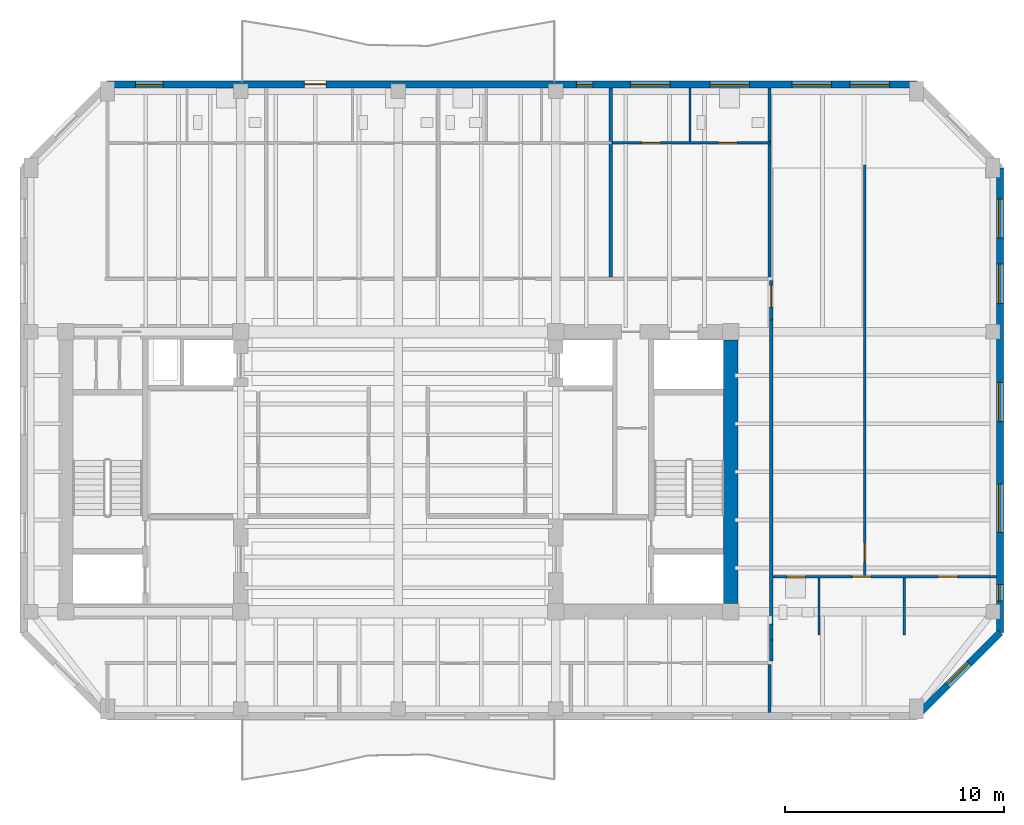
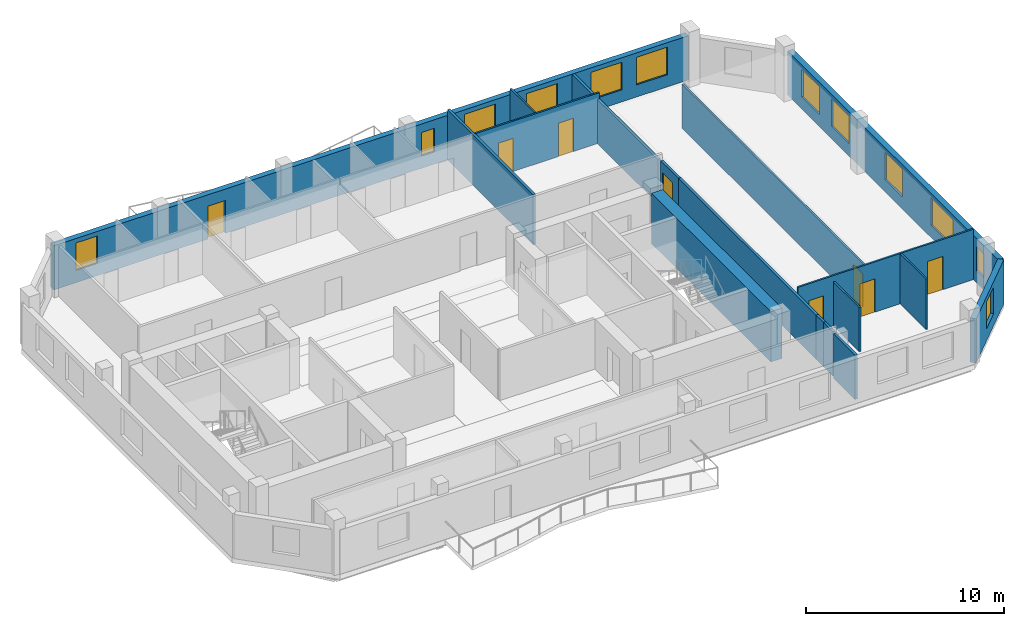
# One storey, part 5 of 9: 17 walls, 12 windows, 8 doors, 20 openings.
"""IFC4 building model written with IfcOpenShell, lengths in metres."""

from ifc_helpers import new_model, si_unit, direction, frame, frame_2d, origin, place, context, subcontext, project, spatial, rectangle, extrude, material, layer, layer_set, type_object, element, fill, save


model = new_model("IFC4")

# Units and contexts
model_context = context("Model", 3, precision=1e-05, world=origin(), true_north=direction((0.0, 1.0)))
body_context = subcontext(model_context, "Body", "Model", "MODEL_VIEW")
ifc_project = project(units=[si_unit("LENGTHUNIT", "METRE"), si_unit("AREAUNIT", "SQUARE_METRE"), si_unit("VOLUMEUNIT", "CUBIC_METRE"), si_unit("PLANEANGLEUNIT", "RADIAN"), si_unit("MASSUNIT", "GRAM", prefix="KILO")], contexts=[model_context])

# Site, building, storey
site_placement = place(None, origin())
site = spatial("IfcSite", under=ifc_project, at=site_placement, CompositionType="ELEMENT")
building_placement = place(site_placement, origin())
building = spatial("IfcBuilding", under=site, at=building_placement, Name="Kranthara Brick Stack", CompositionType="ELEMENT")
storey_placement = place(building_placement, frame((0.0, 0.0, 258.5)))
storey = spatial("IfcBuildingStorey", under=building, at=storey_placement, Name="L68", CompositionType="ELEMENT", Elevation=258.5)

# Wall, openings, door, windows
ifc_material_1 = material(Name="Warm buff clay brick masonry M15", Category="masonry")
ifc_layer_1 = layer(ifc_material_1, 0.320068359375)
ifc_layer_set_1 = layer_set([ifc_layer_1], Name="Warm buff clay brick masonry M15")
wall_type_1 = type_object("IfcWallType", Name="WL-BRK-UPPR-320", PredefinedType="STANDARD", material=ifc_layer_set_1)
wall_1_placement = place(storey_placement, frame((14.699951171875, 44.919921875, 0.0), z_axis=(0.0, 0.0, 1.0), x_axis=(1.0, 0.0, 0.0)))
wall_1 = element("IfcWall", 1, at=wall_1_placement, inside=storey, type_object=wall_type_1, Name="L68 Exterior Brick Facade Wall NORTH 1", PredefinedType="STANDARD", context=body_context, shape_type="SweptSolid", body=[
    extrude(rectangle(XDim=37.0, YDim=0.320068359375, at=frame_2d((18.5, 0.0))), origin(), (0.0, 0.0, 1.0), 2.72509765625),
])
opening_1_placement = place(wall_1_placement, frame((9.0, 0.0, 0.0)))
opening_1 = element("IfcOpeningElement", 2, at=opening_1_placement, cuts=wall_1, Name="Opening D03", PredefinedType="OPENING", context=body_context, shape_type="SweptSolid", body=[
    extrude(rectangle(XDim=1.0, YDim=2.02001953125, at=frame_2d((0.5, 1.010009765625))), frame((0.0, 0.169921875, 0.0), z_axis=(0.0, -1.0, 0.0), x_axis=(1.0, 0.0, 0.0)), (0.0, 0.0, 1.0), 0.340087890625),
])
opening_2_placement = place(wall_1_placement, frame((1.2919921875, 0.0, 0.75)))
opening_2 = element("IfcOpeningElement", 3, at=opening_2_placement, cuts=wall_1, Name="Opening WN09", PredefinedType="OPENING", context=body_context, shape_type="SweptSolid", body=[
    extrude(rectangle(XDim=1.25, YDim=1.699951171875, at=frame_2d((0.625, 0.85009765625))), frame((0.0, 0.169921875, 0.0), z_axis=(0.0, -1.0, 0.0), x_axis=(1.0, 0.0, 0.0)), (0.0, 0.0, 1.0), 0.340087890625),
])
opening_3_placement = place(wall_1_placement, frame((23.929931640625, 0.0, 0.75)))
opening_3 = element("IfcOpeningElement", 4, at=opening_3_placement, cuts=wall_1, Name="Opening WN07", PredefinedType="OPENING", context=body_context, shape_type="SweptSolid", body=[
    extrude(rectangle(XDim=1.800048828125, YDim=1.699951171875, at=frame_2d((0.89990234375, 0.85009765625))), frame((0.0, 0.169921875, 0.0), z_axis=(0.0, -1.0, 0.0), x_axis=(1.0, 0.0, 0.0)), (0.0, 0.0, 1.0), 0.340087890625),
])
opening_4_placement = place(wall_1_placement, frame((27.56298828125, 0.0, 0.75)))
opening_4 = element("IfcOpeningElement", 5, at=opening_4_placement, cuts=wall_1, Name="Opening WN07", PredefinedType="OPENING", context=body_context, shape_type="SweptSolid", body=[
    extrude(rectangle(XDim=1.800048828125, YDim=1.699951171875, at=frame_2d((0.89990234375, 0.85009765625))), frame((0.0, 0.169921875, 0.0), z_axis=(0.0, -1.0, 0.0), x_axis=(1.0, 0.0, 0.0)), (0.0, 0.0, 1.0), 0.340087890625),
])
opening_5_placement = place(wall_1_placement, frame((31.31494140625, 0.0, 0.75)))
opening_5 = element("IfcOpeningElement", 6, at=opening_5_placement, cuts=wall_1, Name="Opening WN07", PredefinedType="OPENING", context=body_context, shape_type="SweptSolid", body=[
    extrude(rectangle(XDim=1.800048828125, YDim=1.699951171875, at=frame_2d((0.89990234375, 0.85009765625))), frame((0.0, 0.169921875, 0.0), z_axis=(0.0, -1.0, 0.0), x_axis=(1.0, 0.0, 0.0)), (0.0, 0.0, 1.0), 0.340087890625),
])
opening_6_placement = place(wall_1_placement, frame((33.965087890625, 0.0, 0.75)))
opening_6 = element("IfcOpeningElement", 7, at=opening_6_placement, cuts=wall_1, Name="Opening WN07", PredefinedType="OPENING", context=body_context, shape_type="SweptSolid", body=[
    extrude(rectangle(XDim=1.800048828125, YDim=1.699951171875, at=frame_2d((0.89990234375, 0.85009765625))), frame((0.0, 0.169921875, 0.0), z_axis=(0.0, -1.0, 0.0), x_axis=(1.0, 0.0, 0.0)), (0.0, 0.0, 1.0), 0.340087890625),
])
opening_7_placement = place(wall_1_placement, frame((21.444091796875, 0.0, 0.75)))
opening_7 = element("IfcOpeningElement", 8, at=opening_7_placement, cuts=wall_1, Name="Opening WN13", PredefinedType="OPENING", context=body_context, shape_type="SweptSolid", body=[
    extrude(rectangle(XDim=0.75, YDim=1.449951171875, at=frame_2d((0.375, 0.72509765625))), frame((0.0, 0.169921875, 0.0), z_axis=(0.0, -1.0, 0.0), x_axis=(1.0, 0.0, 0.0)), (0.0, 0.0, 1.0), 0.340087890625),
])
ifc_material_2 = material(Name="Bronze anodised aluminium and laminated glass", Category="aluminium")
door_type_1 = type_object("IfcDoorType", Name="DR-BALC-1000", OperationType="NOTDEFINED", PredefinedType="DOOR", material=ifc_material_2)
door_1_placement = place(opening_1_placement, origin())
door_1 = element("IfcDoor", 9, at=door_1_placement, inside=storey, type_object=door_type_1, Name="L68 North Balcony Terrace Door", OperationType="SINGLE_SWING_RIGHT", OverallHeight=2.02001953125, OverallWidth=1.0, PredefinedType="DOOR", context=body_context, shape_type="SweptSolid", body=[
    extrude(rectangle(XDim=1.0, YDim=2.02001953125, at=frame_2d((0.5, 1.010009765625))), frame((0.0, 0.02490234375, 0.0), z_axis=(0.0, -1.0, 0.0), x_axis=(1.0, 0.0, 0.0)), (0.0, 0.0, 1.0), 0.050048828125),
])
fill(opening_1, door_1)
ifc_material_3 = material(Name="Double-glazed low-E solar control glass", Category="glass")
window_type_1 = type_object("IfcWindowType", Name="WN-CAS-750x1450", PartitioningType="SINGLE_PANEL", PredefinedType="WINDOW", material=ifc_material_3)
window_1_placement = place(opening_7_placement, origin())
window_1 = element("IfcWindow", 10, at=window_1_placement, inside=storey, type_object=window_type_1, Name="L68 North Deep-Set Casement Window 06", OverallHeight=1.449951171875, OverallWidth=0.75, PartitioningType="SINGLE_PANEL", PredefinedType="WINDOW", context=body_context, shape_type="SweptSolid", body=[
    extrude(rectangle(XDim=0.75, YDim=1.449951171875, at=frame_2d((0.375, 0.72509765625))), frame((0.0, -0.010009765625, 0.0), z_axis=(0.0, -1.0, 0.0), x_axis=(1.0, 0.0, 0.0)), (0.0, 0.0, 1.0), 0.06005859375),
])
fill(opening_7, window_1)
ifc_material_4 = material(Name="Double-glazed low-E solar control glass", Category="glass")
window_type_2 = type_object("IfcWindowType", Name="WN-RES-1250x1850", PartitioningType="SINGLE_PANEL", PredefinedType="WINDOW", material=ifc_material_4)
window_2_placement = place(opening_2_placement, origin())
window_2 = element("IfcWindow", 11, at=window_2_placement, inside=storey, type_object=window_type_2, Name="L68 North Deep-Set Brick Window 01", OverallHeight=1.699951171875, OverallWidth=1.25, PartitioningType="SINGLE_PANEL", PredefinedType="WINDOW", context=body_context, shape_type="SweptSolid", body=[
    extrude(rectangle(XDim=1.25, YDim=1.699951171875, at=frame_2d((0.625, 0.85009765625))), frame((0.0, -0.010009765625, 0.0), z_axis=(0.0, -1.0, 0.0), x_axis=(1.0, 0.0, 0.0)), (0.0, 0.0, 1.0), 0.06005859375),
])
fill(opening_2, window_2)
ifc_material_5 = material(Name="Double-glazed low-E solar control glass", Category="glass")
window_type_3 = type_object("IfcWindowType", Name="WN-RES-1800x1850", PartitioningType="DOUBLE_PANEL_VERTICAL", PredefinedType="WINDOW", material=ifc_material_5)
window_3_placement = place(opening_3_placement, origin())
window_3 = element("IfcWindow", 12, at=window_3_placement, inside=storey, type_object=window_type_3, Name="L68 North Deep-Set Brick Window 02", OverallHeight=1.699951171875, OverallWidth=1.800048828125, PartitioningType="SINGLE_PANEL", PredefinedType="WINDOW", context=body_context, shape_type="SweptSolid", body=[
    extrude(rectangle(XDim=1.800048828125, YDim=1.699951171875, at=frame_2d((0.89990234375, 0.85009765625))), frame((0.0, -0.010009765625, 0.0), z_axis=(0.0, -1.0, 0.0), x_axis=(1.0, 0.0, 0.0)), (0.0, 0.0, 1.0), 0.06005859375),
])
fill(opening_3, window_3)
window_4_placement = place(opening_4_placement, origin())
window_4 = element("IfcWindow", 13, at=window_4_placement, inside=storey, type_object=window_type_3, Name="L68 North Deep-Set Brick Window 03", OverallHeight=1.699951171875, OverallWidth=1.800048828125, PartitioningType="SINGLE_PANEL", PredefinedType="WINDOW", context=body_context, shape_type="SweptSolid", body=[
    extrude(rectangle(XDim=1.800048828125, YDim=1.699951171875, at=frame_2d((0.89990234375, 0.85009765625))), frame((0.0, -0.010009765625, 0.0), z_axis=(0.0, -1.0, 0.0), x_axis=(1.0, 0.0, 0.0)), (0.0, 0.0, 1.0), 0.06005859375),
])
fill(opening_4, window_4)
window_5_placement = place(opening_5_placement, origin())
window_5 = element("IfcWindow", 14, at=window_5_placement, inside=storey, type_object=window_type_3, Name="L68 North Deep-Set Brick Window 04", OverallHeight=1.699951171875, OverallWidth=1.800048828125, PartitioningType="SINGLE_PANEL", PredefinedType="WINDOW", context=body_context, shape_type="SweptSolid", body=[
    extrude(rectangle(XDim=1.800048828125, YDim=1.699951171875, at=frame_2d((0.89990234375, 0.85009765625))), frame((0.0, -0.010009765625, 0.0), z_axis=(0.0, -1.0, 0.0), x_axis=(1.0, 0.0, 0.0)), (0.0, 0.0, 1.0), 0.06005859375),
])
fill(opening_5, window_5)
window_6_placement = place(opening_6_placement, origin())
window_6 = element("IfcWindow", 15, at=window_6_placement, inside=storey, type_object=window_type_3, Name="L68 North Deep-Set Brick Window 05", OverallHeight=1.699951171875, OverallWidth=1.800048828125, PartitioningType="SINGLE_PANEL", PredefinedType="WINDOW", context=body_context, shape_type="SweptSolid", body=[
    extrude(rectangle(XDim=1.800048828125, YDim=1.699951171875, at=frame_2d((0.89990234375, 0.85009765625))), frame((0.0, -0.010009765625, 0.0), z_axis=(0.0, -1.0, 0.0), x_axis=(1.0, 0.0, 0.0)), (0.0, 0.0, 1.0), 0.06005859375),
])
fill(opening_6, window_6)

# Wall, openings, windows
wall_2_placement = place(storey_placement, frame((55.52001953125, 41.10009765625, 0.0), z_axis=(0.0, 0.0, 1.0), x_axis=(0.0, -1.0, 0.0)))
wall_2 = element("IfcWall", 16, at=wall_2_placement, inside=storey, type_object=wall_type_1, Name="L68 Exterior Brick Facade Wall EAST 1", PredefinedType="STANDARD", context=body_context, shape_type="SweptSolid", body=[
    extrude(rectangle(XDim=21.25, YDim=0.320068359375, at=frame_2d((10.625, 0.0))), origin(), (0.0, 0.0, 1.0), 2.72509765625),
])
opening_8_placement = place(wall_2_placement, frame((1.4189453125, 0.0, 0.75)))
opening_8 = element("IfcOpeningElement", 17, at=opening_8_placement, cuts=wall_2, Name="Opening WN07", PredefinedType="OPENING", context=body_context, shape_type="SweptSolid", body=[
    extrude(rectangle(XDim=1.800048828125, YDim=1.699951171875, at=frame_2d((0.89990234375, 0.85009765625))), frame((0.0, 0.169921875, 0.0), z_axis=(0.0, -1.0, 0.0), x_axis=(1.0, 0.0, 0.0)), (0.0, 0.0, 1.0), 0.340087890625),
])
opening_9_placement = place(wall_2_placement, frame((4.406005859375, 0.0, 0.75)))
opening_9 = element("IfcOpeningElement", 18, at=opening_9_placement, cuts=wall_2, Name="Opening WN07", PredefinedType="OPENING", context=body_context, shape_type="SweptSolid", body=[
    extrude(rectangle(XDim=1.800048828125, YDim=1.699951171875, at=frame_2d((0.89990234375, 0.85009765625))), frame((0.0, 0.169921875, 0.0), z_axis=(0.0, -1.0, 0.0), x_axis=(1.0, 0.0, 0.0)), (0.0, 0.0, 1.0), 0.340087890625),
])
opening_10_placement = place(wall_2_placement, frame((9.806884765625, 0.0, 0.75)))
opening_10 = element("IfcOpeningElement", 19, at=opening_10_placement, cuts=wall_2, Name="Opening WN07", PredefinedType="OPENING", context=body_context, shape_type="SweptSolid", body=[
    extrude(rectangle(XDim=1.800048828125, YDim=1.699951171875, at=frame_2d((0.89990234375, 0.85009765625))), frame((0.0, 0.169921875, 0.0), z_axis=(0.0, -1.0, 0.0), x_axis=(1.0, 0.0, 0.0)), (0.0, 0.0, 1.0), 0.340087890625),
])
opening_11_placement = place(wall_2_placement, frame((14.468017578125, 0.0, 0.75)))
opening_11 = element("IfcOpeningElement", 20, at=opening_11_placement, cuts=wall_2, Name="Opening WN08", PredefinedType="OPENING", context=body_context, shape_type="SweptSolid", body=[
    extrude(rectangle(XDim=2.199951171875, YDim=1.699951171875, at=frame_2d((1.10009765625, 0.85009765625))), frame((0.0, 0.169921875, 0.0), z_axis=(0.0, -1.0, 0.0), x_axis=(1.0, 0.0, 0.0)), (0.0, 0.0, 1.0), 0.340087890625),
])
opening_12_placement = place(wall_2_placement, frame((19.06201171875, 0.0, 0.75)))
opening_12 = element("IfcOpeningElement", 21, at=opening_12_placement, cuts=wall_2, Name="Opening WN13", PredefinedType="OPENING", context=body_context, shape_type="SweptSolid", body=[
    extrude(rectangle(XDim=0.75, YDim=1.449951171875, at=frame_2d((0.375, 0.72509765625))), frame((0.0, 0.169921875, 0.0), z_axis=(0.0, -1.0, 0.0), x_axis=(1.0, 0.0, 0.0)), (0.0, 0.0, 1.0), 0.340087890625),
])
window_7_placement = place(opening_12_placement, origin())
window_7 = element("IfcWindow", 22, at=window_7_placement, inside=storey, type_object=window_type_1, Name="L68 East Deep-Set Casement Window 05", OverallHeight=1.449951171875, OverallWidth=0.75, PartitioningType="SINGLE_PANEL", PredefinedType="WINDOW", context=body_context, shape_type="SweptSolid", body=[
    extrude(rectangle(XDim=0.75, YDim=1.449951171875, at=frame_2d((0.375, 0.72509765625))), frame((0.0, -0.010009765625, 0.0), z_axis=(0.0, -1.0, 0.0), x_axis=(1.0, 0.0, 0.0)), (0.0, 0.0, 1.0), 0.06005859375),
])
fill(opening_12, window_7)
window_8_placement = place(opening_8_placement, origin())
window_8 = element("IfcWindow", 23, at=window_8_placement, inside=storey, type_object=window_type_3, Name="L68 East Deep-Set Brick Window 01", OverallHeight=1.699951171875, OverallWidth=1.800048828125, PartitioningType="SINGLE_PANEL", PredefinedType="WINDOW", context=body_context, shape_type="SweptSolid", body=[
    extrude(rectangle(XDim=1.800048828125, YDim=1.699951171875, at=frame_2d((0.89990234375, 0.85009765625))), frame((0.0, -0.010009765625, 0.0), z_axis=(0.0, -1.0, 0.0), x_axis=(1.0, 0.0, 0.0)), (0.0, 0.0, 1.0), 0.06005859375),
])
fill(opening_8, window_8)
window_9_placement = place(opening_9_placement, origin())
window_9 = element("IfcWindow", 24, at=window_9_placement, inside=storey, type_object=window_type_3, Name="L68 East Deep-Set Brick Window 02", OverallHeight=1.699951171875, OverallWidth=1.800048828125, PartitioningType="SINGLE_PANEL", PredefinedType="WINDOW", context=body_context, shape_type="SweptSolid", body=[
    extrude(rectangle(XDim=1.800048828125, YDim=1.699951171875, at=frame_2d((0.89990234375, 0.85009765625))), frame((0.0, -0.010009765625, 0.0), z_axis=(0.0, -1.0, 0.0), x_axis=(1.0, 0.0, 0.0)), (0.0, 0.0, 1.0), 0.06005859375),
])
fill(opening_9, window_9)
window_10_placement = place(opening_10_placement, origin())
window_10 = element("IfcWindow", 25, at=window_10_placement, inside=storey, type_object=window_type_3, Name="L68 East Deep-Set Brick Window 03", OverallHeight=1.699951171875, OverallWidth=1.800048828125, PartitioningType="SINGLE_PANEL", PredefinedType="WINDOW", context=body_context, shape_type="SweptSolid", body=[
    extrude(rectangle(XDim=1.800048828125, YDim=1.699951171875, at=frame_2d((0.89990234375, 0.85009765625))), frame((0.0, -0.010009765625, 0.0), z_axis=(0.0, -1.0, 0.0), x_axis=(1.0, 0.0, 0.0)), (0.0, 0.0, 1.0), 0.06005859375),
])
fill(opening_10, window_10)
ifc_material_6 = material(Name="Double-glazed low-E solar control glass", Category="glass")
window_type_4 = type_object("IfcWindowType", Name="WN-RES-2200x1850", PartitioningType="TRIPLE_PANEL_VERTICAL", PredefinedType="WINDOW", material=ifc_material_6)
window_11_placement = place(opening_11_placement, origin())
window_11 = element("IfcWindow", 26, at=window_11_placement, inside=storey, type_object=window_type_4, Name="L68 East Deep-Set Brick Window 04", OverallHeight=1.699951171875, OverallWidth=2.199951171875, PartitioningType="SINGLE_PANEL", PredefinedType="WINDOW", context=body_context, shape_type="SweptSolid", body=[
    extrude(rectangle(XDim=2.199951171875, YDim=1.699951171875, at=frame_2d((1.10009765625, 0.85009765625))), frame((0.0, -0.010009765625, 0.0), z_axis=(0.0, -1.0, 0.0), x_axis=(1.0, 0.0, 0.0)), (0.0, 0.0, 1.0), 0.06005859375),
])
fill(opening_11, window_11)

# Wall, opening, window
wall_3_placement = place(storey_placement, frame((55.52001953125, 19.85009765625, 0.0), z_axis=(0.0, 0.0, 1.0), x_axis=(-0.707106781187, -0.707106781187, 0.0)))
wall_3 = element("IfcWall", 27, at=wall_3_placement, inside=storey, type_object=wall_type_1, Name="L68 Exterior Brick Facade Wall SE 1", PredefinedType="STANDARD", context=body_context, shape_type="SweptSolid", body=[
    extrude(rectangle(XDim=5.40234375, YDim=0.320068359375, at=frame_2d((2.701171875, 0.0))), origin(), (0.0, 0.0, 1.0), 2.72509765625),
])
opening_13_placement = place(wall_3_placement, frame((2.0009765625, 0.0, 0.75)))
opening_13 = element("IfcOpeningElement", 28, at=opening_13_placement, cuts=wall_3, Name="Opening WN10", PredefinedType="OPENING", context=body_context, shape_type="SweptSolid", body=[
    extrude(rectangle(XDim=1.39990234375, YDim=1.64990234375, at=frame_2d((0.699951171875, 0.824951171875))), frame((0.0, 0.169921875, 0.0), z_axis=(0.0, -1.0, 0.0), x_axis=(1.0, 0.0, 0.0)), (0.0, 0.0, 1.0), 0.340087890625),
])
ifc_material_7 = material(Name="Double-glazed low-E solar control glass", Category="glass")
window_type_5 = type_object("IfcWindowType", Name="WN-CHM-1400x1750", PartitioningType="SINGLE_PANEL", PredefinedType="WINDOW", material=ifc_material_7)
window_12_placement = place(opening_13_placement, origin())
window_12 = element("IfcWindow", 29, at=window_12_placement, inside=storey, type_object=window_type_5, Name="L68 SE Chamfer Corner Window", OverallHeight=1.64990234375, OverallWidth=1.39990234375, PartitioningType="SINGLE_PANEL", PredefinedType="WINDOW", context=body_context, shape_type="SweptSolid", body=[
    extrude(rectangle(XDim=1.39990234375, YDim=1.64990234375, at=frame_2d((0.699951171875, 0.824951171875))), frame((0.0, -0.010009765625, 0.0), z_axis=(0.0, -1.0, 0.0), x_axis=(1.0, 0.0, 0.0)), (0.0, 0.0, 1.0), 0.06005859375),
])
fill(opening_13, window_12)

# Wall
ifc_material_8 = material(Name="Concrete C60/75", Category="concrete")
ifc_layer_2 = layer(ifc_material_8, 0.64990234375)
ifc_layer_set_2 = layer_set([ifc_layer_2], Name="Concrete C60/75")
wall_type_2 = type_object("IfcWallType", Name="WL-CORE-650", PredefinedType="SHEAR", material=ifc_layer_set_2)
wall_4_placement = place(storey_placement, frame((43.199951171875, 21.179931640625, 0.0), z_axis=(0.0, 0.0, 1.0), x_axis=(0.0, 1.0, 0.0)))
element("IfcWall", 30, at=wall_4_placement, inside=storey, type_object=wall_type_2, Name="L68 East Core Shear Wall East", PredefinedType="SHEAR", context=body_context, shape_type="SweptSolid", body=[
    extrude(rectangle(XDim=12.0400390625, YDim=0.64990234375, at=frame_2d((6.02001953125, 0.0))), origin(), (0.0, 0.0, 1.0), 3.10009765625),
])

# Wall, openings, doors
ifc_material_9 = material(Name="Moisture-resistant wet-room partition", Category="other")
ifc_layer_3 = layer(ifc_material_9, 0.10009765625)
ifc_layer_set_3 = layer_set([ifc_layer_3], Name="Moisture-resistant wet-room partition")
wall_type_3 = type_object("IfcWallType", Name="WL-PART-100", PredefinedType="PARTITIONING", material=ifc_layer_set_3)
wall_5_placement = place(storey_placement, frame((37.79296875, 42.25, 0.0), z_axis=(0.0, 0.0, 1.0), x_axis=(1.0, 0.0, 0.0)))
wall_5 = element("IfcWall", 31, at=wall_5_placement, inside=storey, type_object=wall_type_3, Name="L68 Interior Partition 027", PredefinedType="PARTITIONING", context=body_context, shape_type="SweptSolid", body=[
    extrude(rectangle(XDim=7.22705078125, YDim=0.10009765625, at=frame_2d((3.613525390625, 0.0))), origin(), (0.0, 0.0, 1.0), 3.10009765625),
])
opening_14_placement = place(wall_5_placement, frame((1.35205078125, 0.0, 0.0)))
opening_14 = element("IfcOpeningElement", 32, at=opening_14_placement, cuts=wall_5, Name="Opening D16", PredefinedType="OPENING", context=body_context, shape_type="SweptSolid", body=[
    extrude(rectangle(XDim=0.85009765625, YDim=2.050048828125, at=frame_2d((0.425048828125, 1.02490234375))), frame((0.0, 0.06005859375, 0.0), z_axis=(0.0, -1.0, 0.0), x_axis=(1.0, 0.0, 0.0)), (0.0, 0.0, 1.0), 0.1201171875),
])
opening_15_placement = place(wall_5_placement, frame((4.85498046875, 0.0, 0.0)))
opening_15 = element("IfcOpeningElement", 33, at=opening_15_placement, cuts=wall_5, Name="Opening D17", PredefinedType="OPENING", context=body_context, shape_type="SweptSolid", body=[
    extrude(rectangle(XDim=0.85009765625, YDim=2.050048828125, at=frame_2d((0.425048828125, 1.02490234375))), frame((0.0, 0.06005859375, 0.0), z_axis=(0.0, -1.0, 0.0), x_axis=(1.0, 0.0, 0.0)), (0.0, 0.0, 1.0), 0.1201171875),
])
ifc_material_10 = material(Name="Solid-core hardwood timber leaf in steel frame", Category="steel")
door_type_2 = type_object("IfcDoorType", Name="DR-INT-850", OperationType="NOTDEFINED", PredefinedType="DOOR", material=ifc_material_10)
door_2_placement = place(opening_14_placement, origin())
door_2 = element("IfcDoor", 34, at=door_2_placement, inside=storey, type_object=door_type_2, Name="L68 Unit L68D Kitchen 22", OperationType="SINGLE_SWING_RIGHT", OverallHeight=2.050048828125, OverallWidth=0.85009765625, PredefinedType="DOOR", context=body_context, shape_type="SweptSolid", body=[
    extrude(rectangle(XDim=0.85009765625, YDim=2.050048828125, at=frame_2d((0.425048828125, 1.02490234375))), frame((0.0, 0.02490234375, 0.0), z_axis=(0.0, -1.0, 0.0), x_axis=(1.0, 0.0, 0.0)), (0.0, 0.0, 1.0), 0.050048828125),
])
fill(opening_14, door_2)
ifc_material_11 = material(Name="Solid-core hardwood timber leaf in steel frame", Category="steel")
door_type_3 = type_object("IfcDoorType", Name="DR-WET-850", OperationType="NOTDEFINED", PredefinedType="DOOR", material=ifc_material_11)
door_3_placement = place(opening_15_placement, origin())
door_3 = element("IfcDoor", 35, at=door_3_placement, inside=storey, type_object=door_type_3, Name="L68 Unit L68D Bathroom 23", OperationType="SINGLE_SWING_LEFT", OverallHeight=2.050048828125, OverallWidth=0.85009765625, PredefinedType="DOOR", context=body_context, shape_type="SweptSolid", body=[
    extrude(rectangle(XDim=0.85009765625, YDim=2.050048828125, at=frame_2d((0.425048828125, 1.02490234375))), frame((0.0, 0.02490234375, 0.0), z_axis=(0.0, -1.0, 0.0), x_axis=(1.0, 0.0, 0.0)), (0.0, 0.0, 1.0), 0.050048828125),
])
fill(opening_15, door_3)

# Wall
wall_6_placement = place(storey_placement, frame((41.345947265625, 42.304931640625, 0.0), z_axis=(0.0, 0.0, 1.0), x_axis=(0.0, 1.0, 0.0)))
element("IfcWall", 36, at=wall_6_placement, inside=storey, type_object=wall_type_3, Name="L68 Interior Partition 028", PredefinedType="PARTITIONING", context=body_context, shape_type="SweptSolid", body=[
    extrude(rectangle(XDim=2.449951171875, YDim=0.10009765625, at=frame_2d((1.22509765625, 0.0))), origin(), (0.0, 0.0, 1.0), 3.10009765625),
])

# Wall, openings, doors
wall_7_placement = place(storey_placement, frame((45.1298828125, 22.39990234375, 0.0), z_axis=(0.0, 0.0, 1.0), x_axis=(1.0, 0.0, 0.0)))
wall_7 = element("IfcWall", 37, at=wall_7_placement, inside=storey, type_object=wall_type_3, Name="L68 Interior Partition 035", PredefinedType="PARTITIONING", context=body_context, shape_type="SweptSolid", body=[
    extrude(rectangle(XDim=10.22509765625, YDim=0.10009765625, at=frame_2d((5.112548828125, 0.0))), origin(), (0.0, 0.0, 1.0), 3.10009765625),
])
opening_16_placement = place(wall_7_placement, frame((0.635009765625, 0.0, 0.0)))
opening_16 = element("IfcOpeningElement", 38, at=opening_16_placement, cuts=wall_7, Name="Opening D17", PredefinedType="OPENING", context=body_context, shape_type="SweptSolid", body=[
    extrude(rectangle(XDim=0.85009765625, YDim=2.050048828125, at=frame_2d((0.425048828125, 1.02490234375))), frame((0.0, 0.06005859375, 0.0), z_axis=(0.0, -1.0, 0.0), x_axis=(1.0, 0.0, 0.0)), (0.0, 0.0, 1.0), 0.1201171875),
])
opening_17_placement = place(wall_7_placement, frame((3.632080078125, 0.0, 0.0)))
opening_17 = element("IfcOpeningElement", 39, at=opening_17_placement, cuts=wall_7, Name="Opening D16", PredefinedType="OPENING", context=body_context, shape_type="SweptSolid", body=[
    extrude(rectangle(XDim=0.85009765625, YDim=2.050048828125, at=frame_2d((0.425048828125, 1.02490234375))), frame((0.0, 0.06005859375, 0.0), z_axis=(0.0, -1.0, 0.0), x_axis=(1.0, 0.0, 0.0)), (0.0, 0.0, 1.0), 0.1201171875),
])
opening_18_placement = place(wall_7_placement, frame((7.552001953125, 0.0, 0.0)))
opening_18 = element("IfcOpeningElement", 40, at=opening_18_placement, cuts=wall_7, Name="Opening D15", PredefinedType="OPENING", context=body_context, shape_type="SweptSolid", body=[
    extrude(rectangle(XDim=0.89990234375, YDim=2.050048828125, at=frame_2d((0.449951171875, 1.02490234375))), frame((0.0, 0.06005859375, 0.0), z_axis=(0.0, -1.0, 0.0), x_axis=(1.0, 0.0, 0.0)), (0.0, 0.0, 1.0), 0.1201171875),
])
door_4_placement = place(opening_17_placement, origin())
door_4 = element("IfcDoor", 41, at=door_4_placement, inside=storey, type_object=door_type_2, Name="L68 Unit L68E Kitchen 27", OperationType="SINGLE_SWING_LEFT", OverallHeight=2.050048828125, OverallWidth=0.85009765625, PredefinedType="DOOR", context=body_context, shape_type="SweptSolid", body=[
    extrude(rectangle(XDim=0.85009765625, YDim=2.050048828125, at=frame_2d((0.425048828125, 1.02490234375))), frame((0.0, 0.02490234375, 0.0), z_axis=(0.0, -1.0, 0.0), x_axis=(1.0, 0.0, 0.0)), (0.0, 0.0, 1.0), 0.050048828125),
])
fill(opening_17, door_4)
ifc_material_12 = material(Name="Solid-core hardwood timber leaf in steel frame", Category="steel")
door_type_4 = type_object("IfcDoorType", Name="DR-INT-900", OperationType="NOTDEFINED", PredefinedType="DOOR", material=ifc_material_12)
door_5_placement = place(opening_18_placement, origin())
door_5 = element("IfcDoor", 42, at=door_5_placement, inside=storey, type_object=door_type_4, Name="L68 Unit L68E Bedroom 28", OperationType="SINGLE_SWING_RIGHT", OverallHeight=2.050048828125, OverallWidth=0.89990234375, PredefinedType="DOOR", context=body_context, shape_type="SweptSolid", body=[
    extrude(rectangle(XDim=0.89990234375, YDim=2.050048828125, at=frame_2d((0.449951171875, 1.02490234375))), frame((0.0, 0.02490234375, 0.0), z_axis=(0.0, -1.0, 0.0), x_axis=(1.0, 0.0, 0.0)), (0.0, 0.0, 1.0), 0.050048828125),
])
fill(opening_18, door_5)
door_6_placement = place(opening_16_placement, origin())
door_6 = element("IfcDoor", 43, at=door_6_placement, inside=storey, type_object=door_type_3, Name="L68 Unit L68E Bathroom 26", OperationType="SINGLE_SWING_RIGHT", OverallHeight=2.050048828125, OverallWidth=0.85009765625, PredefinedType="DOOR", context=body_context, shape_type="SweptSolid", body=[
    extrude(rectangle(XDim=0.85009765625, YDim=2.050048828125, at=frame_2d((0.425048828125, 1.02490234375))), frame((0.0, 0.02490234375, 0.0), z_axis=(0.0, -1.0, 0.0), x_axis=(1.0, 0.0, 0.0)), (0.0, 0.0, 1.0), 0.050048828125),
])
fill(opening_16, door_6)

# Wall, opening, door
wall_8_placement = place(storey_placement, frame((49.3291015625, 22.455078125, 0.0), z_axis=(0.0, 0.0, 1.0), x_axis=(0.0, 1.0, 0.0)))
wall_8 = element("IfcWall", 44, at=wall_8_placement, inside=storey, type_object=wall_type_3, Name="L68 Interior Partition 036", PredefinedType="PARTITIONING", context=body_context, shape_type="SweptSolid", body=[
    extrude(rectangle(XDim=18.764892578125, YDim=0.10009765625, at=frame_2d((9.38232421875, 0.0))), origin(), (0.0, 0.0, 1.0), 2.72509765625),
])
opening_19_placement = place(wall_8_placement, frame((0.60498046875, 0.0, 0.0)))
opening_19 = element("IfcOpeningElement", 45, at=opening_19_placement, cuts=wall_8, Name="Opening D15", PredefinedType="OPENING", context=body_context, shape_type="SweptSolid", body=[
    extrude(rectangle(XDim=0.89990234375, YDim=2.050048828125, at=frame_2d((0.449951171875, 1.02490234375))), frame((0.0, 0.06005859375, 0.0), z_axis=(0.0, -1.0, 0.0), x_axis=(1.0, 0.0, 0.0)), (0.0, 0.0, 1.0), 0.1201171875),
])
door_7_placement = place(opening_19_placement, origin())
door_7 = element("IfcDoor", 46, at=door_7_placement, inside=storey, type_object=door_type_4, Name="L68 Unit L68E Study 25", OperationType="SINGLE_SWING_LEFT", OverallHeight=2.050048828125, OverallWidth=0.89990234375, PredefinedType="DOOR", context=body_context, shape_type="SweptSolid", body=[
    extrude(rectangle(XDim=0.89990234375, YDim=2.050048828125, at=frame_2d((0.449951171875, 1.02490234375))), frame((0.0, 0.02490234375, 0.0), z_axis=(0.0, -1.0, 0.0), x_axis=(1.0, 0.0, 0.0)), (0.0, 0.0, 1.0), 0.050048828125),
])
fill(opening_19, door_7)

# Walls
wall_9_placement = place(storey_placement, frame((47.239990234375, 19.72998046875, 0.0), z_axis=(0.0, 0.0, 1.0), x_axis=(0.0, 1.0, 0.0)))
element("IfcWall", 47, at=wall_9_placement, inside=storey, type_object=wall_type_3, Name="L68 Interior Partition 037", PredefinedType="PARTITIONING", context=body_context, shape_type="SweptSolid", body=[
    extrude(rectangle(XDim=2.614990234375, YDim=0.10009765625, at=frame_2d((1.3076171875, 0.0))), origin(), (0.0, 0.0, 1.0), 2.72509765625),
])
wall_10_placement = place(storey_placement, frame((51.134033203125, 19.72998046875, 0.0), z_axis=(0.0, 0.0, 1.0), x_axis=(0.0, 1.0, 0.0)))
element("IfcWall", 48, at=wall_10_placement, inside=storey, type_object=wall_type_3, Name="L68 Interior Partition 038", PredefinedType="PARTITIONING", context=body_context, shape_type="SweptSolid", body=[
    extrude(rectangle(XDim=2.614990234375, YDim=0.10009765625, at=frame_2d((1.3076171875, 0.0))), origin(), (0.0, 0.0, 1.0), 3.10009765625),
])
ifc_material_13 = material(Name="Fire-rated gypsum board partition", Category="other")
ifc_layer_4 = layer(ifc_material_13, 0.14990234375)
ifc_layer_set_4 = layer_set([ifc_layer_4], Name="Fire-rated gypsum board partition")
wall_type_4 = type_object("IfcWallType", Name="WL-PART-150", PredefinedType="PARTITIONING", material=ifc_layer_set_4)
wall_11_placement = place(storey_placement, frame((44.97998046875, 16.195068359375, 0.0), z_axis=(0.0, 0.0, 1.0), x_axis=(0.0, 1.0, 0.0)))
element("IfcWall", 49, at=wall_11_placement, inside=storey, type_object=wall_type_4, Name="L68 Interior Partition 014", PredefinedType="PARTITIONING", context=body_context, shape_type="SweptSolid", body=[
    extrude(rectangle(XDim=2.184814453125, YDim=0.14990234375, at=frame_2d((1.09228515625, 0.0))), origin(), (0.0, 0.0, 1.0), 2.72509765625),
])
wall_12_placement = place(storey_placement, frame((37.712890625, 36.10009765625, 0.0), z_axis=(0.0, 0.0, 1.0), x_axis=(0.0, 1.0, 0.0)))
element("IfcWall", 50, at=wall_12_placement, inside=storey, type_object=wall_type_4, Name="L68 Interior Partition 026", PredefinedType="PARTITIONING", context=body_context, shape_type="SweptSolid", body=[
    extrude(rectangle(XDim=8.65478515625, YDim=0.14990234375, at=frame_2d((4.327392578125, 0.0))), origin(), (0.0, 0.0, 1.0), 3.10009765625),
])
wall_13_placement = place(storey_placement, frame((44.97998046875, 36.10009765625, 0.0), z_axis=(0.0, 0.0, 1.0), x_axis=(0.0, 1.0, 0.0)))
element("IfcWall", 51, at=wall_13_placement, inside=storey, type_object=wall_type_4, Name="L68 Interior Partition 029", PredefinedType="PARTITIONING", context=body_context, shape_type="SweptSolid", body=[
    extrude(rectangle(XDim=8.65478515625, YDim=0.14990234375, at=frame_2d((4.327392578125, 0.0))), origin(), (0.0, 0.0, 1.0), 2.72509765625),
])
wall_14_placement = place(storey_placement, frame((45.050048828125, 19.5, 0.0), z_axis=(0.0, 0.0, 1.0), x_axis=(0.0, -1.0, 0.0)))
element("IfcWall", 52, at=wall_14_placement, inside=storey, type_object=wall_type_4, Name="L68 Interior Partition 030", PredefinedType="PARTITIONING", context=body_context, shape_type="SweptSolid", body=[
    extrude(rectangle(XDim=0.9599609375, YDim=0.14990234375, at=frame_2d((0.47998046875, 0.0))), origin(), (0.0, 0.0, 1.0), 2.72509765625),
])
wall_15_placement = place(storey_placement, frame((45.050048828125, 19.510009765625, 0.0), z_axis=(0.0, 0.0, 1.0), x_axis=(0.0, 1.0, 0.0)))
element("IfcWall", 53, at=wall_15_placement, inside=storey, type_object=wall_type_4, Name="L68 Interior Partition 031", PredefinedType="PARTITIONING", context=body_context, shape_type="SweptSolid", body=[
    extrude(rectangle(XDim=0.739990234375, YDim=0.14990234375, at=frame_2d((0.3701171875, 0.0))), origin(), (0.0, 0.0, 1.0), 2.72509765625),
])
wall_16_placement = place(storey_placement, frame((45.050048828125, 20.25, 0.0), z_axis=(0.0, 0.0, 1.0), x_axis=(0.0, 1.0, 0.0)))
element("IfcWall", 54, at=wall_16_placement, inside=storey, type_object=wall_type_4, Name="L68 Interior Partition 032", PredefinedType="PARTITIONING", context=body_context, shape_type="SweptSolid", body=[
    extrude(rectangle(XDim=13.89990234375, YDim=0.14990234375, at=frame_2d((6.949951171875, 0.0))), origin(), (0.0, 0.0, 1.0), 2.72509765625),
])

# Wall, opening, door
wall_17_placement = place(storey_placement, frame((45.050048828125, 34.14990234375, 0.0), z_axis=(0.0, 0.0, 1.0), x_axis=(0.0, 1.0, 0.0)))
wall_17 = element("IfcWall", 55, at=wall_17_placement, inside=storey, type_object=wall_type_4, Name="L68 Interior Partition 033", PredefinedType="PARTITIONING", context=body_context, shape_type="SweptSolid", body=[
    extrude(rectangle(XDim=1.7900390625, YDim=0.14990234375, at=frame_2d((0.89501953125, 0.0))), origin(), (0.0, 0.0, 1.0), 2.72509765625),
])
opening_20_placement = place(wall_17_placement, frame((0.580078125, 0.0, 0.0)))
opening_20 = element("IfcOpeningElement", 56, at=opening_20_placement, cuts=wall_17, Name="Opening D08", PredefinedType="OPENING", context=body_context, shape_type="SweptSolid", body=[
    extrude(rectangle(XDim=1.0, YDim=2.10009765625, at=frame_2d((0.5, 1.050048828125))), frame((0.0, 0.0849609375, 0.0), z_axis=(0.0, -1.0, 0.0), x_axis=(1.0, 0.0, 0.0)), (0.0, 0.0, 1.0), 0.169921875),
])
ifc_material_14 = material(Name="Solid-core hardwood timber leaf in steel frame", Category="steel")
door_type_5 = type_object("IfcDoorType", Name="DR-FD-1000", OperationType="NOTDEFINED", PredefinedType="DOOR", material=ifc_material_14)
door_8_placement = place(opening_20_placement, origin())
door_8 = element("IfcDoor", 57, at=door_8_placement, inside=storey, type_object=door_type_5, Name="L68 Unit L68E Entrance 24", OperationType="SINGLE_SWING_RIGHT", OverallHeight=2.10009765625, OverallWidth=1.0, PredefinedType="DOOR", context=body_context, shape_type="SweptSolid", body=[
    extrude(rectangle(XDim=1.0, YDim=2.10009765625, at=frame_2d((0.5, 1.050048828125))), frame((0.0, 0.02490234375, 0.0), z_axis=(0.0, -1.0, 0.0), x_axis=(1.0, 0.0, 0.0)), (0.0, 0.0, 1.0), 0.050048828125),
])
fill(opening_20, door_8)

save(model, "model.ifc")
